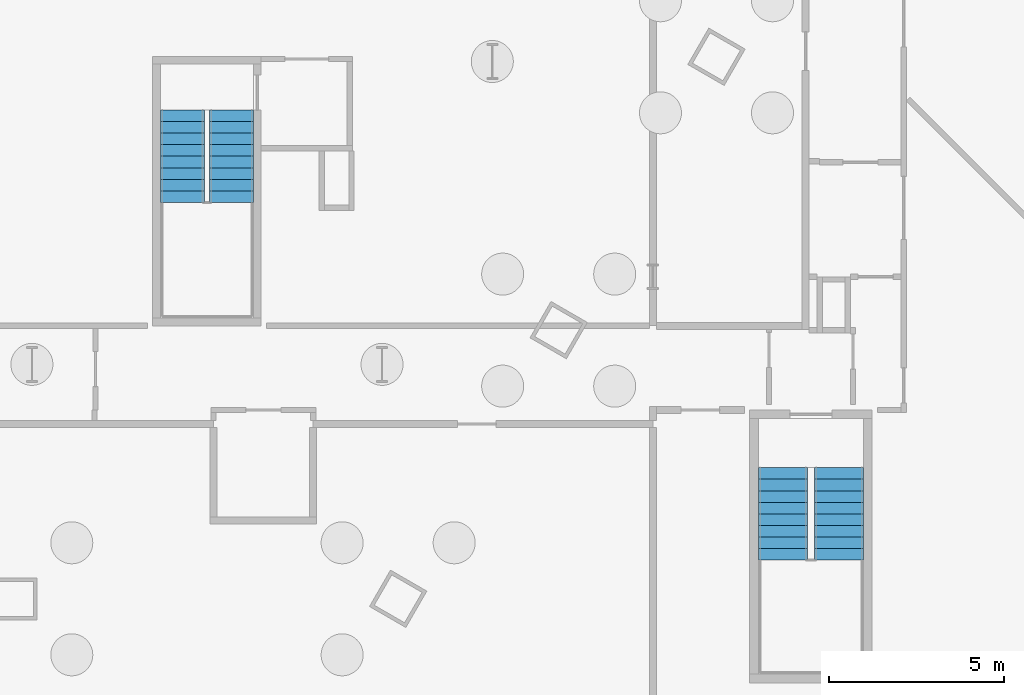
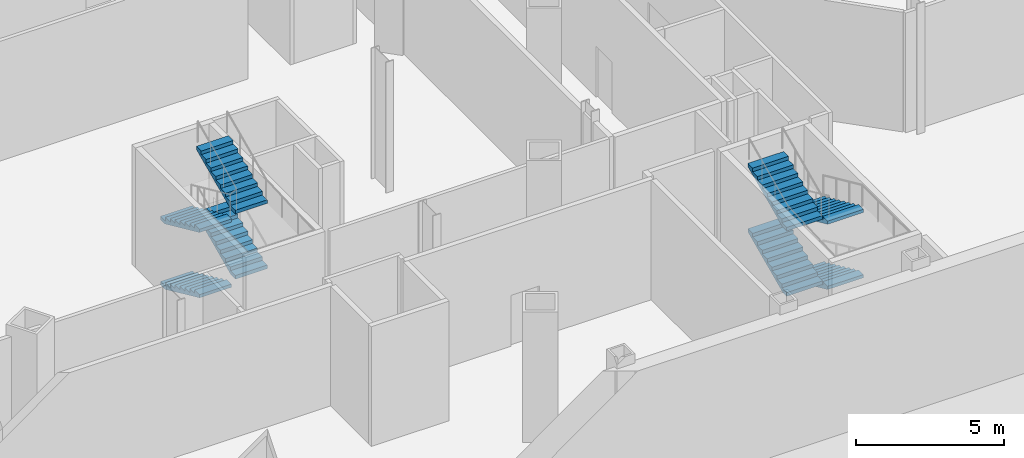
# One storey, part 14 of 19: 8 stair flights, 2 elements without a shape of their own.
"""IFC4 building model written with IfcOpenShell, lengths in metres."""

from ifc_helpers import new_model, si_unit, direction, frame, origin, place, context, subcontext, project, spatial, polygons, material, type_object, element, aggregate, save


model = new_model("IFC4")

# Units and contexts
model_context = context("Model", 3, precision=1e-05, world=origin(), true_north=direction((0.0, 1.0)))
body_context = subcontext(model_context, "Body", "Model", "MODEL_VIEW")
ifc_project = project(units=[si_unit("LENGTHUNIT", "METRE"), si_unit("AREAUNIT", "SQUARE_METRE"), si_unit("VOLUMEUNIT", "CUBIC_METRE"), si_unit("PLANEANGLEUNIT", "RADIAN"), si_unit("MASSUNIT", "GRAM", prefix="KILO")], contexts=[model_context])

# Site, building, storey
site_placement = place(None, origin())
site = spatial("IfcSite", under=ifc_project, at=site_placement, CompositionType="ELEMENT")
building_placement = place(site_placement, origin())
building = spatial("IfcBuilding", under=site, at=building_placement, Name="Njiva Tower", CompositionType="ELEMENT")
storey_placement = place(building_placement, frame((0.0, 0.0, -16.8)))
storey = spatial("IfcBuildingStorey", under=building, at=storey_placement, Name="B3", CompositionType="ELEMENT", Elevation=-16.8)

# Stair, stair flights
ifc_material = material(Name="Concrete C40/50", Category="concrete")
stair_type_1 = type_object("IfcStairType", Name="ST1 Exit stair 1250", PredefinedType="HALF_TURN_STAIR", material=ifc_material)
stair_1_placement = place(storey_placement, origin())
stair_1 = element("IfcStair", 1, at=stair_1_placement, inside=storey, type_object=stair_type_1, Name="Stair C basement", PredefinedType="DOUBLE_RETURN_STAIR")
stair_flight_type_1 = type_object("IfcStairFlightType", Name="FL1 Stair flight 1250", PredefinedType="STRAIGHT", material=ifc_material)
stair_flight_1_placement = place(storey_placement, frame((-0.7, -15.135, 0.0), z_axis=(0.0, 0.0, 1.0), x_axis=(0.0, -1.0, 0.0)))
stair_flight_1 = element("IfcStairFlight", 2, at=stair_flight_1_placement, type_object=stair_flight_type_1, Name="ST-CB flight 1", NumberOfRisers=9, NumberOfTreads=8, PredefinedType="STRAIGHT", RiserHeight=0.15, TreadLength=0.33, context=body_context, shape_type="Tessellation", body=[
    polygons([(0.0, 0.625, 0.0), (0.0, 0.3125, 0.0), (0.0, 0.0, 0.0), (0.0, -0.3125, 0.0), (0.0, -0.625, 0.0), (0.0, 0.625, 0.15), (0.0, 0.3125, 0.15), (0.0, 0.0, 0.15), (0.0, -0.3125, 0.15), (0.0, -0.625, 0.15), (0.33, 0.625, 0.15), (0.33, 0.3125, 0.15), (0.33, 0.0, 0.15), (0.33, -0.3125, 0.15), (0.33, -0.625, 0.15), (0.33, 0.625, 0.3), (0.33, 0.3125, 0.3), (0.33, 0.0, 0.3), (0.33, -0.3125, 0.3), (0.33, -0.625, 0.3), (0.66, 0.625, 0.3), (0.66, 0.3125, 0.3), (0.66, 0.0, 0.3), (0.66, -0.3125, 0.3), (0.66, -0.625, 0.3), (0.66, 0.625, 0.45), (0.66, 0.3125, 0.45), (0.66, 0.0, 0.45), (0.66, -0.3125, 0.45), (0.66, -0.625, 0.45), (0.99, 0.625, 0.45), (0.99, 0.3125, 0.45), (0.99, 0.0, 0.45), (0.99, -0.3125, 0.45), (0.99, -0.625, 0.45), (0.99, 0.625, 0.6), (0.99, 0.3125, 0.6), (0.99, 0.0, 0.6), (0.99, -0.3125, 0.6), (0.99, -0.625, 0.6), (1.32, 0.625, 0.6), (1.32, 0.3125, 0.6), (1.32, 0.0, 0.6), (1.32, -0.3125, 0.6), (1.32, -0.625, 0.6), (1.32, 0.625, 0.75), (1.32, 0.3125, 0.75), (1.32, 0.0, 0.75), (1.32, -0.3125, 0.75), (1.32, -0.625, 0.75), (1.65, 0.625, 0.75), (1.65, 0.3125, 0.75), (1.65, 0.0, 0.75), (1.65, -0.3125, 0.75), (1.65, -0.625, 0.75), (1.65, 0.625, 0.9), (1.65, 0.3125, 0.9), (1.65, 0.0, 0.9), (1.65, -0.3125, 0.9), (1.65, -0.625, 0.9), (1.98, 0.625, 0.9), (1.98, 0.3125, 0.9), (1.98, 0.0, 0.9), (1.98, -0.3125, 0.9), (1.98, -0.625, 0.9), (1.98, 0.625, 1.05), (1.98, 0.3125, 1.05), (1.98, 0.0, 1.05), (1.98, -0.3125, 1.05), (1.98, -0.625, 1.05), (2.31, 0.625, 1.05), (2.31, 0.3125, 1.05), (2.31, 0.0, 1.05), (2.31, -0.3125, 1.05), (2.31, -0.625, 1.05), (2.31, 0.625, 1.2), (2.31, 0.3125, 1.2), (2.31, 0.0, 1.2), (2.31, -0.3125, 1.2), (2.31, -0.625, 1.2), (2.64, 0.625, 1.2), (2.64, 0.3125, 1.2), (2.64, 0.0, 1.2), (2.64, -0.3125, 1.2), (2.64, -0.625, 1.2), (2.64, 0.625, 1.0682), (2.64, 0.3125, 1.0682), (2.64, 0.0, 1.0682), (2.64, -0.3125, 1.0682), (2.64, -0.625, 1.0682), (0.29, 0.625, 0.0), (0.29, 0.3125, 0.0), (0.29, 0.0, 0.0), (0.29, -0.3125, 0.0), (0.29, -0.625, 0.0)], [[[1, 6, 11, 16, 21, 26, 31, 36, 41, 46, 51, 56, 61, 66, 71, 76, 81, 86, 91]], [[95, 90, 85, 80, 75, 70, 65, 60, 55, 50, 45, 40, 35, 30, 25, 20, 15, 10, 5]], [[6, 1, 2, 7]], [[7, 2, 3, 8]], [[8, 3, 4, 9]], [[9, 4, 5, 10]], [[11, 6, 7, 12]], [[12, 7, 8, 13]], [[13, 8, 9, 14]], [[14, 9, 10, 15]], [[16, 11, 12, 17]], [[17, 12, 13, 18]], [[18, 13, 14, 19]], [[19, 14, 15, 20]], [[21, 16, 17, 22]], [[22, 17, 18, 23]], [[23, 18, 19, 24]], [[24, 19, 20, 25]], [[26, 21, 22, 27]], [[27, 22, 23, 28]], [[28, 23, 24, 29]], [[29, 24, 25, 30]], [[31, 26, 27, 32]], [[32, 27, 28, 33]], [[33, 28, 29, 34]], [[34, 29, 30, 35]], [[36, 31, 32, 37]], [[37, 32, 33, 38]], [[38, 33, 34, 39]], [[39, 34, 35, 40]], [[41, 36, 37, 42]], [[42, 37, 38, 43]], [[43, 38, 39, 44]], [[44, 39, 40, 45]], [[46, 41, 42, 47]], [[47, 42, 43, 48]], [[48, 43, 44, 49]], [[49, 44, 45, 50]], [[51, 46, 47, 52]], [[52, 47, 48, 53]], [[53, 48, 49, 54]], [[54, 49, 50, 55]], [[56, 51, 52, 57]], [[57, 52, 53, 58]], [[58, 53, 54, 59]], [[59, 54, 55, 60]], [[61, 56, 57, 62]], [[62, 57, 58, 63]], [[63, 58, 59, 64]], [[64, 59, 60, 65]], [[66, 61, 62, 67]], [[67, 62, 63, 68]], [[68, 63, 64, 69]], [[69, 64, 65, 70]], [[71, 66, 67, 72]], [[72, 67, 68, 73]], [[73, 68, 69, 74]], [[74, 69, 70, 75]], [[76, 71, 72, 77]], [[77, 72, 73, 78]], [[78, 73, 74, 79]], [[79, 74, 75, 80]], [[81, 76, 77, 82]], [[82, 77, 78, 83]], [[83, 78, 79, 84]], [[84, 79, 80, 85]], [[86, 81, 82, 87]], [[87, 82, 83, 88]], [[88, 83, 84, 89]], [[89, 84, 85, 90]], [[91, 86, 87, 92]], [[92, 87, 88, 93]], [[93, 88, 89, 94]], [[94, 89, 90, 95]], [[1, 91, 92, 2]], [[2, 92, 93, 3]], [[3, 93, 94, 4]], [[4, 94, 95, 5]]], closed=True),
])
stair_flight_2_placement = place(storey_placement, frame((0.7, -17.775, 1.35), z_axis=(0.0, 0.0, 1.0), x_axis=(0.0, 1.0, 0.0)))
stair_flight_2 = element("IfcStairFlight", 3, at=stair_flight_2_placement, type_object=stair_flight_type_1, Name="ST-CB flight 2", NumberOfRisers=9, NumberOfTreads=8, PredefinedType="STRAIGHT", RiserHeight=0.15, TreadLength=0.33, context=body_context, shape_type="Tessellation", body=[
    polygons([(0.0, 0.625, 0.0), (0.0, 0.3125, 0.0), (0.0, 0.0, 0.0), (0.0, -0.3125, 0.0), (0.0, -0.625, 0.0), (0.0, 0.625, 0.15), (0.0, 0.3125, 0.15), (0.0, 0.0, 0.15), (0.0, -0.3125, 0.15), (0.0, -0.625, 0.15), (0.33, 0.625, 0.15), (0.33, 0.3125, 0.15), (0.33, 0.0, 0.15), (0.33, -0.3125, 0.15), (0.33, -0.625, 0.15), (0.33, 0.625, 0.3), (0.33, 0.3125, 0.3), (0.33, 0.0, 0.3), (0.33, -0.3125, 0.3), (0.33, -0.625, 0.3), (0.66, 0.625, 0.3), (0.66, 0.3125, 0.3), (0.66, 0.0, 0.3), (0.66, -0.3125, 0.3), (0.66, -0.625, 0.3), (0.66, 0.625, 0.45), (0.66, 0.3125, 0.45), (0.66, 0.0, 0.45), (0.66, -0.3125, 0.45), (0.66, -0.625, 0.45), (0.99, 0.625, 0.45), (0.99, 0.3125, 0.45), (0.99, 0.0, 0.45), (0.99, -0.3125, 0.45), (0.99, -0.625, 0.45), (0.99, 0.625, 0.6), (0.99, 0.3125, 0.6), (0.99, 0.0, 0.6), (0.99, -0.3125, 0.6), (0.99, -0.625, 0.6), (1.32, 0.625, 0.6), (1.32, 0.3125, 0.6), (1.32, 0.0, 0.6), (1.32, -0.3125, 0.6), (1.32, -0.625, 0.6), (1.32, 0.625, 0.75), (1.32, 0.3125, 0.75), (1.32, 0.0, 0.75), (1.32, -0.3125, 0.75), (1.32, -0.625, 0.75), (1.65, 0.625, 0.75), (1.65, 0.3125, 0.75), (1.65, 0.0, 0.75), (1.65, -0.3125, 0.75), (1.65, -0.625, 0.75), (1.65, 0.625, 0.9), (1.65, 0.3125, 0.9), (1.65, 0.0, 0.9), (1.65, -0.3125, 0.9), (1.65, -0.625, 0.9), (1.98, 0.625, 0.9), (1.98, 0.3125, 0.9), (1.98, 0.0, 0.9), (1.98, -0.3125, 0.9), (1.98, -0.625, 0.9), (1.98, 0.625, 1.05), (1.98, 0.3125, 1.05), (1.98, 0.0, 1.05), (1.98, -0.3125, 1.05), (1.98, -0.625, 1.05), (2.31, 0.625, 1.05), (2.31, 0.3125, 1.05), (2.31, 0.0, 1.05), (2.31, -0.3125, 1.05), (2.31, -0.625, 1.05), (2.31, 0.625, 1.2), (2.31, 0.3125, 1.2), (2.31, 0.0, 1.2), (2.31, -0.3125, 1.2), (2.31, -0.625, 1.2), (2.64, 0.625, 1.2), (2.64, 0.3125, 1.2), (2.64, 0.0, 1.2), (2.64, -0.3125, 1.2), (2.64, -0.625, 1.2), (2.64, 0.625, 1.0682), (2.64, 0.3125, 1.0682), (2.64, 0.0, 1.0682), (2.64, -0.3125, 1.0682), (2.64, -0.625, 1.0682), (0.29, 0.625, 0.0), (0.29, 0.3125, 0.0), (0.29, 0.0, 0.0), (0.29, -0.3125, 0.0), (0.29, -0.625, 0.0)], [[[1, 6, 11, 16, 21, 26, 31, 36, 41, 46, 51, 56, 61, 66, 71, 76, 81, 86, 91]], [[95, 90, 85, 80, 75, 70, 65, 60, 55, 50, 45, 40, 35, 30, 25, 20, 15, 10, 5]], [[6, 1, 2, 7]], [[7, 2, 3, 8]], [[8, 3, 4, 9]], [[9, 4, 5, 10]], [[11, 6, 7, 12]], [[12, 7, 8, 13]], [[13, 8, 9, 14]], [[14, 9, 10, 15]], [[16, 11, 12, 17]], [[17, 12, 13, 18]], [[18, 13, 14, 19]], [[19, 14, 15, 20]], [[21, 16, 17, 22]], [[22, 17, 18, 23]], [[23, 18, 19, 24]], [[24, 19, 20, 25]], [[26, 21, 22, 27]], [[27, 22, 23, 28]], [[28, 23, 24, 29]], [[29, 24, 25, 30]], [[31, 26, 27, 32]], [[32, 27, 28, 33]], [[33, 28, 29, 34]], [[34, 29, 30, 35]], [[36, 31, 32, 37]], [[37, 32, 33, 38]], [[38, 33, 34, 39]], [[39, 34, 35, 40]], [[41, 36, 37, 42]], [[42, 37, 38, 43]], [[43, 38, 39, 44]], [[44, 39, 40, 45]], [[46, 41, 42, 47]], [[47, 42, 43, 48]], [[48, 43, 44, 49]], [[49, 44, 45, 50]], [[51, 46, 47, 52]], [[52, 47, 48, 53]], [[53, 48, 49, 54]], [[54, 49, 50, 55]], [[56, 51, 52, 57]], [[57, 52, 53, 58]], [[58, 53, 54, 59]], [[59, 54, 55, 60]], [[61, 56, 57, 62]], [[62, 57, 58, 63]], [[63, 58, 59, 64]], [[64, 59, 60, 65]], [[66, 61, 62, 67]], [[67, 62, 63, 68]], [[68, 63, 64, 69]], [[69, 64, 65, 70]], [[71, 66, 67, 72]], [[72, 67, 68, 73]], [[73, 68, 69, 74]], [[74, 69, 70, 75]], [[76, 71, 72, 77]], [[77, 72, 73, 78]], [[78, 73, 74, 79]], [[79, 74, 75, 80]], [[81, 76, 77, 82]], [[82, 77, 78, 83]], [[83, 78, 79, 84]], [[84, 79, 80, 85]], [[86, 81, 82, 87]], [[87, 82, 83, 88]], [[88, 83, 84, 89]], [[89, 84, 85, 90]], [[91, 86, 87, 92]], [[92, 87, 88, 93]], [[93, 88, 89, 94]], [[94, 89, 90, 95]], [[1, 91, 92, 2]], [[2, 92, 93, 3]], [[3, 93, 94, 4]], [[4, 94, 95, 5]]], closed=True),
])
stair_flight_3_placement = place(storey_placement, frame((-0.7, -15.135, 2.7), z_axis=(0.0, 0.0, 1.0), x_axis=(0.0, -1.0, 0.0)))
stair_flight_3 = element("IfcStairFlight", 4, at=stair_flight_3_placement, type_object=stair_flight_type_1, Name="ST-CB flight 3", NumberOfRisers=9, NumberOfTreads=8, PredefinedType="STRAIGHT", RiserHeight=0.15, TreadLength=0.33, context=body_context, shape_type="Tessellation", body=[
    polygons([(0.0, 0.625, 0.0), (0.0, 0.3125, 0.0), (0.0, 0.0, 0.0), (0.0, -0.3125, 0.0), (0.0, -0.625, 0.0), (0.0, 0.625, 0.15), (0.0, 0.3125, 0.15), (0.0, 0.0, 0.15), (0.0, -0.3125, 0.15), (0.0, -0.625, 0.15), (0.33, 0.625, 0.15), (0.33, 0.3125, 0.15), (0.33, 0.0, 0.15), (0.33, -0.3125, 0.15), (0.33, -0.625, 0.15), (0.33, 0.625, 0.3), (0.33, 0.3125, 0.3), (0.33, 0.0, 0.3), (0.33, -0.3125, 0.3), (0.33, -0.625, 0.3), (0.66, 0.625, 0.3), (0.66, 0.3125, 0.3), (0.66, 0.0, 0.3), (0.66, -0.3125, 0.3), (0.66, -0.625, 0.3), (0.66, 0.625, 0.45), (0.66, 0.3125, 0.45), (0.66, 0.0, 0.45), (0.66, -0.3125, 0.45), (0.66, -0.625, 0.45), (0.99, 0.625, 0.45), (0.99, 0.3125, 0.45), (0.99, 0.0, 0.45), (0.99, -0.3125, 0.45), (0.99, -0.625, 0.45), (0.99, 0.625, 0.6), (0.99, 0.3125, 0.6), (0.99, 0.0, 0.6), (0.99, -0.3125, 0.6), (0.99, -0.625, 0.6), (1.32, 0.625, 0.6), (1.32, 0.3125, 0.6), (1.32, 0.0, 0.6), (1.32, -0.3125, 0.6), (1.32, -0.625, 0.6), (1.32, 0.625, 0.75), (1.32, 0.3125, 0.75), (1.32, 0.0, 0.75), (1.32, -0.3125, 0.75), (1.32, -0.625, 0.75), (1.65, 0.625, 0.75), (1.65, 0.3125, 0.75), (1.65, 0.0, 0.75), (1.65, -0.3125, 0.75), (1.65, -0.625, 0.75), (1.65, 0.625, 0.9), (1.65, 0.3125, 0.9), (1.65, 0.0, 0.9), (1.65, -0.3125, 0.9), (1.65, -0.625, 0.9), (1.98, 0.625, 0.9), (1.98, 0.3125, 0.9), (1.98, 0.0, 0.9), (1.98, -0.3125, 0.9), (1.98, -0.625, 0.9), (1.98, 0.625, 1.05), (1.98, 0.3125, 1.05), (1.98, 0.0, 1.05), (1.98, -0.3125, 1.05), (1.98, -0.625, 1.05), (2.31, 0.625, 1.05), (2.31, 0.3125, 1.05), (2.31, 0.0, 1.05), (2.31, -0.3125, 1.05), (2.31, -0.625, 1.05), (2.31, 0.625, 1.2), (2.31, 0.3125, 1.2), (2.31, 0.0, 1.2), (2.31, -0.3125, 1.2), (2.31, -0.625, 1.2), (2.64, 0.625, 1.2), (2.64, 0.3125, 1.2), (2.64, 0.0, 1.2), (2.64, -0.3125, 1.2), (2.64, -0.625, 1.2), (2.64, 0.625, 1.0682), (2.64, 0.3125, 1.0682), (2.64, 0.0, 1.0682), (2.64, -0.3125, 1.0682), (2.64, -0.625, 1.0682), (0.29, 0.625, 0.0), (0.29, 0.3125, 0.0), (0.29, 0.0, 0.0), (0.29, -0.3125, 0.0), (0.29, -0.625, 0.0)], [[[1, 6, 11, 16, 21, 26, 31, 36, 41, 46, 51, 56, 61, 66, 71, 76, 81, 86, 91]], [[95, 90, 85, 80, 75, 70, 65, 60, 55, 50, 45, 40, 35, 30, 25, 20, 15, 10, 5]], [[6, 1, 2, 7]], [[7, 2, 3, 8]], [[8, 3, 4, 9]], [[9, 4, 5, 10]], [[11, 6, 7, 12]], [[12, 7, 8, 13]], [[13, 8, 9, 14]], [[14, 9, 10, 15]], [[16, 11, 12, 17]], [[17, 12, 13, 18]], [[18, 13, 14, 19]], [[19, 14, 15, 20]], [[21, 16, 17, 22]], [[22, 17, 18, 23]], [[23, 18, 19, 24]], [[24, 19, 20, 25]], [[26, 21, 22, 27]], [[27, 22, 23, 28]], [[28, 23, 24, 29]], [[29, 24, 25, 30]], [[31, 26, 27, 32]], [[32, 27, 28, 33]], [[33, 28, 29, 34]], [[34, 29, 30, 35]], [[36, 31, 32, 37]], [[37, 32, 33, 38]], [[38, 33, 34, 39]], [[39, 34, 35, 40]], [[41, 36, 37, 42]], [[42, 37, 38, 43]], [[43, 38, 39, 44]], [[44, 39, 40, 45]], [[46, 41, 42, 47]], [[47, 42, 43, 48]], [[48, 43, 44, 49]], [[49, 44, 45, 50]], [[51, 46, 47, 52]], [[52, 47, 48, 53]], [[53, 48, 49, 54]], [[54, 49, 50, 55]], [[56, 51, 52, 57]], [[57, 52, 53, 58]], [[58, 53, 54, 59]], [[59, 54, 55, 60]], [[61, 56, 57, 62]], [[62, 57, 58, 63]], [[63, 58, 59, 64]], [[64, 59, 60, 65]], [[66, 61, 62, 67]], [[67, 62, 63, 68]], [[68, 63, 64, 69]], [[69, 64, 65, 70]], [[71, 66, 67, 72]], [[72, 67, 68, 73]], [[73, 68, 69, 74]], [[74, 69, 70, 75]], [[76, 71, 72, 77]], [[77, 72, 73, 78]], [[78, 73, 74, 79]], [[79, 74, 75, 80]], [[81, 76, 77, 82]], [[82, 77, 78, 83]], [[83, 78, 79, 84]], [[84, 79, 80, 85]], [[86, 81, 82, 87]], [[87, 82, 83, 88]], [[88, 83, 84, 89]], [[89, 84, 85, 90]], [[91, 86, 87, 92]], [[92, 87, 88, 93]], [[93, 88, 89, 94]], [[94, 89, 90, 95]], [[1, 91, 92, 2]], [[2, 92, 93, 3]], [[3, 93, 94, 4]], [[4, 94, 95, 5]]], closed=True),
])
stair_flight_4_placement = place(storey_placement, frame((0.7, -17.775, 4.05), z_axis=(0.0, 0.0, 1.0), x_axis=(0.0, 1.0, 0.0)))
stair_flight_4 = element("IfcStairFlight", 5, at=stair_flight_4_placement, type_object=stair_flight_type_1, Name="ST-CB flight 4", NumberOfRisers=9, NumberOfTreads=8, PredefinedType="STRAIGHT", RiserHeight=0.15, TreadLength=0.33, context=body_context, shape_type="Tessellation", body=[
    polygons([(0.0, 0.625, 0.0), (0.0, 0.3125, 0.0), (0.0, 0.0, 0.0), (0.0, -0.3125, 0.0), (0.0, -0.625, 0.0), (0.0, 0.625, 0.15), (0.0, 0.3125, 0.15), (0.0, 0.0, 0.15), (0.0, -0.3125, 0.15), (0.0, -0.625, 0.15), (0.33, 0.625, 0.15), (0.33, 0.3125, 0.15), (0.33, 0.0, 0.15), (0.33, -0.3125, 0.15), (0.33, -0.625, 0.15), (0.33, 0.625, 0.3), (0.33, 0.3125, 0.3), (0.33, 0.0, 0.3), (0.33, -0.3125, 0.3), (0.33, -0.625, 0.3), (0.66, 0.625, 0.3), (0.66, 0.3125, 0.3), (0.66, 0.0, 0.3), (0.66, -0.3125, 0.3), (0.66, -0.625, 0.3), (0.66, 0.625, 0.45), (0.66, 0.3125, 0.45), (0.66, 0.0, 0.45), (0.66, -0.3125, 0.45), (0.66, -0.625, 0.45), (0.99, 0.625, 0.45), (0.99, 0.3125, 0.45), (0.99, 0.0, 0.45), (0.99, -0.3125, 0.45), (0.99, -0.625, 0.45), (0.99, 0.625, 0.6), (0.99, 0.3125, 0.6), (0.99, 0.0, 0.6), (0.99, -0.3125, 0.6), (0.99, -0.625, 0.6), (1.32, 0.625, 0.6), (1.32, 0.3125, 0.6), (1.32, 0.0, 0.6), (1.32, -0.3125, 0.6), (1.32, -0.625, 0.6), (1.32, 0.625, 0.75), (1.32, 0.3125, 0.75), (1.32, 0.0, 0.75), (1.32, -0.3125, 0.75), (1.32, -0.625, 0.75), (1.65, 0.625, 0.75), (1.65, 0.3125, 0.75), (1.65, 0.0, 0.75), (1.65, -0.3125, 0.75), (1.65, -0.625, 0.75), (1.65, 0.625, 0.9), (1.65, 0.3125, 0.9), (1.65, 0.0, 0.9), (1.65, -0.3125, 0.9), (1.65, -0.625, 0.9), (1.98, 0.625, 0.9), (1.98, 0.3125, 0.9), (1.98, 0.0, 0.9), (1.98, -0.3125, 0.9), (1.98, -0.625, 0.9), (1.98, 0.625, 1.05), (1.98, 0.3125, 1.05), (1.98, 0.0, 1.05), (1.98, -0.3125, 1.05), (1.98, -0.625, 1.05), (2.31, 0.625, 1.05), (2.31, 0.3125, 1.05), (2.31, 0.0, 1.05), (2.31, -0.3125, 1.05), (2.31, -0.625, 1.05), (2.31, 0.625, 1.2), (2.31, 0.3125, 1.2), (2.31, 0.0, 1.2), (2.31, -0.3125, 1.2), (2.31, -0.625, 1.2), (2.64, 0.625, 1.2), (2.64, 0.3125, 1.2), (2.64, 0.0, 1.2), (2.64, -0.3125, 1.2), (2.64, -0.625, 1.2), (2.64, 0.625, 1.0682), (2.64, 0.3125, 1.0682), (2.64, 0.0, 1.0682), (2.64, -0.3125, 1.0682), (2.64, -0.625, 1.0682), (0.29, 0.625, 0.0), (0.29, 0.3125, 0.0), (0.29, 0.0, 0.0), (0.29, -0.3125, 0.0), (0.29, -0.625, 0.0)], [[[1, 6, 11, 16, 21, 26, 31, 36, 41, 46, 51, 56, 61, 66, 71, 76, 81, 86, 91]], [[95, 90, 85, 80, 75, 70, 65, 60, 55, 50, 45, 40, 35, 30, 25, 20, 15, 10, 5]], [[6, 1, 2, 7]], [[7, 2, 3, 8]], [[8, 3, 4, 9]], [[9, 4, 5, 10]], [[11, 6, 7, 12]], [[12, 7, 8, 13]], [[13, 8, 9, 14]], [[14, 9, 10, 15]], [[16, 11, 12, 17]], [[17, 12, 13, 18]], [[18, 13, 14, 19]], [[19, 14, 15, 20]], [[21, 16, 17, 22]], [[22, 17, 18, 23]], [[23, 18, 19, 24]], [[24, 19, 20, 25]], [[26, 21, 22, 27]], [[27, 22, 23, 28]], [[28, 23, 24, 29]], [[29, 24, 25, 30]], [[31, 26, 27, 32]], [[32, 27, 28, 33]], [[33, 28, 29, 34]], [[34, 29, 30, 35]], [[36, 31, 32, 37]], [[37, 32, 33, 38]], [[38, 33, 34, 39]], [[39, 34, 35, 40]], [[41, 36, 37, 42]], [[42, 37, 38, 43]], [[43, 38, 39, 44]], [[44, 39, 40, 45]], [[46, 41, 42, 47]], [[47, 42, 43, 48]], [[48, 43, 44, 49]], [[49, 44, 45, 50]], [[51, 46, 47, 52]], [[52, 47, 48, 53]], [[53, 48, 49, 54]], [[54, 49, 50, 55]], [[56, 51, 52, 57]], [[57, 52, 53, 58]], [[58, 53, 54, 59]], [[59, 54, 55, 60]], [[61, 56, 57, 62]], [[62, 57, 58, 63]], [[63, 58, 59, 64]], [[64, 59, 60, 65]], [[66, 61, 62, 67]], [[67, 62, 63, 68]], [[68, 63, 64, 69]], [[69, 64, 65, 70]], [[71, 66, 67, 72]], [[72, 67, 68, 73]], [[73, 68, 69, 74]], [[74, 69, 70, 75]], [[76, 71, 72, 77]], [[77, 72, 73, 78]], [[78, 73, 74, 79]], [[79, 74, 75, 80]], [[81, 76, 77, 82]], [[82, 77, 78, 83]], [[83, 78, 79, 84]], [[84, 79, 80, 85]], [[86, 81, 82, 87]], [[87, 82, 83, 88]], [[88, 83, 84, 89]], [[89, 84, 85, 90]], [[91, 86, 87, 92]], [[92, 87, 88, 93]], [[93, 88, 89, 94]], [[94, 89, 90, 95]], [[1, 91, 92, 2]], [[2, 92, 93, 3]], [[3, 93, 94, 4]], [[4, 94, 95, 5]]], closed=True),
])
aggregate(stair_1, [stair_flight_1, stair_flight_2, stair_flight_3, stair_flight_4])

stair_type_2 = type_object("IfcStairType", Name="ST2 Exit stair 1400", PredefinedType="HALF_TURN_STAIR", material=ifc_material)
stair_2_placement = place(storey_placement, origin())
stair_2 = element("IfcStair", 6, at=stair_2_placement, inside=storey, type_object=stair_type_2, Name="Stair E basement", PredefinedType="DOUBLE_RETURN_STAIR")
stair_flight_type_2 = type_object("IfcStairFlightType", Name="FL2 Stair flight 1400", PredefinedType="STRAIGHT", material=ifc_material)
stair_flight_5_placement = place(storey_placement, frame((18.05, -25.35, 0.0), z_axis=(0.0, 0.0, 1.0), x_axis=(0.0, -1.0, 0.0)))
stair_flight_5 = element("IfcStairFlight", 7, at=stair_flight_5_placement, type_object=stair_flight_type_2, Name="ST-EB flight 1", NumberOfRisers=9, NumberOfTreads=8, PredefinedType="STRAIGHT", RiserHeight=0.15, TreadLength=0.33, context=body_context, shape_type="Tessellation", body=[
    polygons([(0.0, 0.7, 0.0), (0.0, 0.35, 0.0), (0.0, 0.0, 0.0), (0.0, -0.35, 0.0), (0.0, -0.7, 0.0), (0.0, 0.7, 0.15), (0.0, 0.35, 0.15), (0.0, 0.0, 0.15), (0.0, -0.35, 0.15), (0.0, -0.7, 0.15), (0.33, 0.7, 0.15), (0.33, 0.35, 0.15), (0.33, 0.0, 0.15), (0.33, -0.35, 0.15), (0.33, -0.7, 0.15), (0.33, 0.7, 0.3), (0.33, 0.35, 0.3), (0.33, 0.0, 0.3), (0.33, -0.35, 0.3), (0.33, -0.7, 0.3), (0.66, 0.7, 0.3), (0.66, 0.35, 0.3), (0.66, 0.0, 0.3), (0.66, -0.35, 0.3), (0.66, -0.7, 0.3), (0.66, 0.7, 0.45), (0.66, 0.35, 0.45), (0.66, 0.0, 0.45), (0.66, -0.35, 0.45), (0.66, -0.7, 0.45), (0.99, 0.7, 0.45), (0.99, 0.35, 0.45), (0.99, 0.0, 0.45), (0.99, -0.35, 0.45), (0.99, -0.7, 0.45), (0.99, 0.7, 0.6), (0.99, 0.35, 0.6), (0.99, 0.0, 0.6), (0.99, -0.35, 0.6), (0.99, -0.7, 0.6), (1.32, 0.7, 0.6), (1.32, 0.35, 0.6), (1.32, 0.0, 0.6), (1.32, -0.35, 0.6), (1.32, -0.7, 0.6), (1.32, 0.7, 0.75), (1.32, 0.35, 0.75), (1.32, 0.0, 0.75), (1.32, -0.35, 0.75), (1.32, -0.7, 0.75), (1.65, 0.7, 0.75), (1.65, 0.35, 0.75), (1.65, 0.0, 0.75), (1.65, -0.35, 0.75), (1.65, -0.7, 0.75), (1.65, 0.7, 0.9), (1.65, 0.35, 0.9), (1.65, 0.0, 0.9), (1.65, -0.35, 0.9), (1.65, -0.7, 0.9), (1.98, 0.7, 0.9), (1.98, 0.35, 0.9), (1.98, 0.0, 0.9), (1.98, -0.35, 0.9), (1.98, -0.7, 0.9), (1.98, 0.7, 1.05), (1.98, 0.35, 1.05), (1.98, 0.0, 1.05), (1.98, -0.35, 1.05), (1.98, -0.7, 1.05), (2.31, 0.7, 1.05), (2.31, 0.35, 1.05), (2.31, 0.0, 1.05), (2.31, -0.35, 1.05), (2.31, -0.7, 1.05), (2.31, 0.7, 1.2), (2.31, 0.35, 1.2), (2.31, 0.0, 1.2), (2.31, -0.35, 1.2), (2.31, -0.7, 1.2), (2.64, 0.7, 1.2), (2.64, 0.35, 1.2), (2.64, 0.0, 1.2), (2.64, -0.35, 1.2), (2.64, -0.7, 1.2), (2.64, 0.7, 1.0682), (2.64, 0.35, 1.0682), (2.64, 0.0, 1.0682), (2.64, -0.35, 1.0682), (2.64, -0.7, 1.0682), (0.29, 0.7, 0.0), (0.29, 0.35, 0.0), (0.29, 0.0, 0.0), (0.29, -0.35, 0.0), (0.29, -0.7, 0.0)], [[[1, 6, 11, 16, 21, 26, 31, 36, 41, 46, 51, 56, 61, 66, 71, 76, 81, 86, 91]], [[95, 90, 85, 80, 75, 70, 65, 60, 55, 50, 45, 40, 35, 30, 25, 20, 15, 10, 5]], [[6, 1, 2, 7]], [[7, 2, 3, 8]], [[8, 3, 4, 9]], [[9, 4, 5, 10]], [[11, 6, 7, 12]], [[12, 7, 8, 13]], [[13, 8, 9, 14]], [[14, 9, 10, 15]], [[16, 11, 12, 17]], [[17, 12, 13, 18]], [[18, 13, 14, 19]], [[19, 14, 15, 20]], [[21, 16, 17, 22]], [[22, 17, 18, 23]], [[23, 18, 19, 24]], [[24, 19, 20, 25]], [[26, 21, 22, 27]], [[27, 22, 23, 28]], [[28, 23, 24, 29]], [[29, 24, 25, 30]], [[31, 26, 27, 32]], [[32, 27, 28, 33]], [[33, 28, 29, 34]], [[34, 29, 30, 35]], [[36, 31, 32, 37]], [[37, 32, 33, 38]], [[38, 33, 34, 39]], [[39, 34, 35, 40]], [[41, 36, 37, 42]], [[42, 37, 38, 43]], [[43, 38, 39, 44]], [[44, 39, 40, 45]], [[46, 41, 42, 47]], [[47, 42, 43, 48]], [[48, 43, 44, 49]], [[49, 44, 45, 50]], [[51, 46, 47, 52]], [[52, 47, 48, 53]], [[53, 48, 49, 54]], [[54, 49, 50, 55]], [[56, 51, 52, 57]], [[57, 52, 53, 58]], [[58, 53, 54, 59]], [[59, 54, 55, 60]], [[61, 56, 57, 62]], [[62, 57, 58, 63]], [[63, 58, 59, 64]], [[64, 59, 60, 65]], [[66, 61, 62, 67]], [[67, 62, 63, 68]], [[68, 63, 64, 69]], [[69, 64, 65, 70]], [[71, 66, 67, 72]], [[72, 67, 68, 73]], [[73, 68, 69, 74]], [[74, 69, 70, 75]], [[76, 71, 72, 77]], [[77, 72, 73, 78]], [[78, 73, 74, 79]], [[79, 74, 75, 80]], [[81, 76, 77, 82]], [[82, 77, 78, 83]], [[83, 78, 79, 84]], [[84, 79, 80, 85]], [[86, 81, 82, 87]], [[87, 82, 83, 88]], [[88, 83, 84, 89]], [[89, 84, 85, 90]], [[91, 86, 87, 92]], [[92, 87, 88, 93]], [[93, 88, 89, 94]], [[94, 89, 90, 95]], [[1, 91, 92, 2]], [[2, 92, 93, 3]], [[3, 93, 94, 4]], [[4, 94, 95, 5]]], closed=True),
])
stair_flight_6_placement = place(storey_placement, frame((16.45, -27.99, 1.35), z_axis=(0.0, 0.0, 1.0), x_axis=(0.0, 1.0, 0.0)))
stair_flight_6 = element("IfcStairFlight", 8, at=stair_flight_6_placement, type_object=stair_flight_type_2, Name="ST-EB flight 2", NumberOfRisers=9, NumberOfTreads=8, PredefinedType="STRAIGHT", RiserHeight=0.15, TreadLength=0.33, context=body_context, shape_type="Tessellation", body=[
    polygons([(0.0, 0.7, 0.0), (0.0, 0.35, 0.0), (0.0, 0.0, 0.0), (0.0, -0.35, 0.0), (0.0, -0.7, 0.0), (0.0, 0.7, 0.15), (0.0, 0.35, 0.15), (0.0, 0.0, 0.15), (0.0, -0.35, 0.15), (0.0, -0.7, 0.15), (0.33, 0.7, 0.15), (0.33, 0.35, 0.15), (0.33, 0.0, 0.15), (0.33, -0.35, 0.15), (0.33, -0.7, 0.15), (0.33, 0.7, 0.3), (0.33, 0.35, 0.3), (0.33, 0.0, 0.3), (0.33, -0.35, 0.3), (0.33, -0.7, 0.3), (0.66, 0.7, 0.3), (0.66, 0.35, 0.3), (0.66, 0.0, 0.3), (0.66, -0.35, 0.3), (0.66, -0.7, 0.3), (0.66, 0.7, 0.45), (0.66, 0.35, 0.45), (0.66, 0.0, 0.45), (0.66, -0.35, 0.45), (0.66, -0.7, 0.45), (0.99, 0.7, 0.45), (0.99, 0.35, 0.45), (0.99, 0.0, 0.45), (0.99, -0.35, 0.45), (0.99, -0.7, 0.45), (0.99, 0.7, 0.6), (0.99, 0.35, 0.6), (0.99, 0.0, 0.6), (0.99, -0.35, 0.6), (0.99, -0.7, 0.6), (1.32, 0.7, 0.6), (1.32, 0.35, 0.6), (1.32, 0.0, 0.6), (1.32, -0.35, 0.6), (1.32, -0.7, 0.6), (1.32, 0.7, 0.75), (1.32, 0.35, 0.75), (1.32, 0.0, 0.75), (1.32, -0.35, 0.75), (1.32, -0.7, 0.75), (1.65, 0.7, 0.75), (1.65, 0.35, 0.75), (1.65, 0.0, 0.75), (1.65, -0.35, 0.75), (1.65, -0.7, 0.75), (1.65, 0.7, 0.9), (1.65, 0.35, 0.9), (1.65, 0.0, 0.9), (1.65, -0.35, 0.9), (1.65, -0.7, 0.9), (1.98, 0.7, 0.9), (1.98, 0.35, 0.9), (1.98, 0.0, 0.9), (1.98, -0.35, 0.9), (1.98, -0.7, 0.9), (1.98, 0.7, 1.05), (1.98, 0.35, 1.05), (1.98, 0.0, 1.05), (1.98, -0.35, 1.05), (1.98, -0.7, 1.05), (2.31, 0.7, 1.05), (2.31, 0.35, 1.05), (2.31, 0.0, 1.05), (2.31, -0.35, 1.05), (2.31, -0.7, 1.05), (2.31, 0.7, 1.2), (2.31, 0.35, 1.2), (2.31, 0.0, 1.2), (2.31, -0.35, 1.2), (2.31, -0.7, 1.2), (2.64, 0.7, 1.2), (2.64, 0.35, 1.2), (2.64, 0.0, 1.2), (2.64, -0.35, 1.2), (2.64, -0.7, 1.2), (2.64, 0.7, 1.0682), (2.64, 0.35, 1.0682), (2.64, 0.0, 1.0682), (2.64, -0.35, 1.0682), (2.64, -0.7, 1.0682), (0.29, 0.7, 0.0), (0.29, 0.35, 0.0), (0.29, 0.0, 0.0), (0.29, -0.35, 0.0), (0.29, -0.7, 0.0)], [[[1, 6, 11, 16, 21, 26, 31, 36, 41, 46, 51, 56, 61, 66, 71, 76, 81, 86, 91]], [[95, 90, 85, 80, 75, 70, 65, 60, 55, 50, 45, 40, 35, 30, 25, 20, 15, 10, 5]], [[6, 1, 2, 7]], [[7, 2, 3, 8]], [[8, 3, 4, 9]], [[9, 4, 5, 10]], [[11, 6, 7, 12]], [[12, 7, 8, 13]], [[13, 8, 9, 14]], [[14, 9, 10, 15]], [[16, 11, 12, 17]], [[17, 12, 13, 18]], [[18, 13, 14, 19]], [[19, 14, 15, 20]], [[21, 16, 17, 22]], [[22, 17, 18, 23]], [[23, 18, 19, 24]], [[24, 19, 20, 25]], [[26, 21, 22, 27]], [[27, 22, 23, 28]], [[28, 23, 24, 29]], [[29, 24, 25, 30]], [[31, 26, 27, 32]], [[32, 27, 28, 33]], [[33, 28, 29, 34]], [[34, 29, 30, 35]], [[36, 31, 32, 37]], [[37, 32, 33, 38]], [[38, 33, 34, 39]], [[39, 34, 35, 40]], [[41, 36, 37, 42]], [[42, 37, 38, 43]], [[43, 38, 39, 44]], [[44, 39, 40, 45]], [[46, 41, 42, 47]], [[47, 42, 43, 48]], [[48, 43, 44, 49]], [[49, 44, 45, 50]], [[51, 46, 47, 52]], [[52, 47, 48, 53]], [[53, 48, 49, 54]], [[54, 49, 50, 55]], [[56, 51, 52, 57]], [[57, 52, 53, 58]], [[58, 53, 54, 59]], [[59, 54, 55, 60]], [[61, 56, 57, 62]], [[62, 57, 58, 63]], [[63, 58, 59, 64]], [[64, 59, 60, 65]], [[66, 61, 62, 67]], [[67, 62, 63, 68]], [[68, 63, 64, 69]], [[69, 64, 65, 70]], [[71, 66, 67, 72]], [[72, 67, 68, 73]], [[73, 68, 69, 74]], [[74, 69, 70, 75]], [[76, 71, 72, 77]], [[77, 72, 73, 78]], [[78, 73, 74, 79]], [[79, 74, 75, 80]], [[81, 76, 77, 82]], [[82, 77, 78, 83]], [[83, 78, 79, 84]], [[84, 79, 80, 85]], [[86, 81, 82, 87]], [[87, 82, 83, 88]], [[88, 83, 84, 89]], [[89, 84, 85, 90]], [[91, 86, 87, 92]], [[92, 87, 88, 93]], [[93, 88, 89, 94]], [[94, 89, 90, 95]], [[1, 91, 92, 2]], [[2, 92, 93, 3]], [[3, 93, 94, 4]], [[4, 94, 95, 5]]], closed=True),
])
stair_flight_7_placement = place(storey_placement, frame((18.05, -25.35, 2.7), z_axis=(0.0, 0.0, 1.0), x_axis=(0.0, -1.0, 0.0)))
stair_flight_7 = element("IfcStairFlight", 9, at=stair_flight_7_placement, type_object=stair_flight_type_2, Name="ST-EB flight 3", NumberOfRisers=9, NumberOfTreads=8, PredefinedType="STRAIGHT", RiserHeight=0.15, TreadLength=0.33, context=body_context, shape_type="Tessellation", body=[
    polygons([(0.0, 0.7, 0.0), (0.0, 0.35, 0.0), (0.0, 0.0, 0.0), (0.0, -0.35, 0.0), (0.0, -0.7, 0.0), (0.0, 0.7, 0.15), (0.0, 0.35, 0.15), (0.0, 0.0, 0.15), (0.0, -0.35, 0.15), (0.0, -0.7, 0.15), (0.33, 0.7, 0.15), (0.33, 0.35, 0.15), (0.33, 0.0, 0.15), (0.33, -0.35, 0.15), (0.33, -0.7, 0.15), (0.33, 0.7, 0.3), (0.33, 0.35, 0.3), (0.33, 0.0, 0.3), (0.33, -0.35, 0.3), (0.33, -0.7, 0.3), (0.66, 0.7, 0.3), (0.66, 0.35, 0.3), (0.66, 0.0, 0.3), (0.66, -0.35, 0.3), (0.66, -0.7, 0.3), (0.66, 0.7, 0.45), (0.66, 0.35, 0.45), (0.66, 0.0, 0.45), (0.66, -0.35, 0.45), (0.66, -0.7, 0.45), (0.99, 0.7, 0.45), (0.99, 0.35, 0.45), (0.99, 0.0, 0.45), (0.99, -0.35, 0.45), (0.99, -0.7, 0.45), (0.99, 0.7, 0.6), (0.99, 0.35, 0.6), (0.99, 0.0, 0.6), (0.99, -0.35, 0.6), (0.99, -0.7, 0.6), (1.32, 0.7, 0.6), (1.32, 0.35, 0.6), (1.32, 0.0, 0.6), (1.32, -0.35, 0.6), (1.32, -0.7, 0.6), (1.32, 0.7, 0.75), (1.32, 0.35, 0.75), (1.32, 0.0, 0.75), (1.32, -0.35, 0.75), (1.32, -0.7, 0.75), (1.65, 0.7, 0.75), (1.65, 0.35, 0.75), (1.65, 0.0, 0.75), (1.65, -0.35, 0.75), (1.65, -0.7, 0.75), (1.65, 0.7, 0.9), (1.65, 0.35, 0.9), (1.65, 0.0, 0.9), (1.65, -0.35, 0.9), (1.65, -0.7, 0.9), (1.98, 0.7, 0.9), (1.98, 0.35, 0.9), (1.98, 0.0, 0.9), (1.98, -0.35, 0.9), (1.98, -0.7, 0.9), (1.98, 0.7, 1.05), (1.98, 0.35, 1.05), (1.98, 0.0, 1.05), (1.98, -0.35, 1.05), (1.98, -0.7, 1.05), (2.31, 0.7, 1.05), (2.31, 0.35, 1.05), (2.31, 0.0, 1.05), (2.31, -0.35, 1.05), (2.31, -0.7, 1.05), (2.31, 0.7, 1.2), (2.31, 0.35, 1.2), (2.31, 0.0, 1.2), (2.31, -0.35, 1.2), (2.31, -0.7, 1.2), (2.64, 0.7, 1.2), (2.64, 0.35, 1.2), (2.64, 0.0, 1.2), (2.64, -0.35, 1.2), (2.64, -0.7, 1.2), (2.64, 0.7, 1.0682), (2.64, 0.35, 1.0682), (2.64, 0.0, 1.0682), (2.64, -0.35, 1.0682), (2.64, -0.7, 1.0682), (0.29, 0.7, 0.0), (0.29, 0.35, 0.0), (0.29, 0.0, 0.0), (0.29, -0.35, 0.0), (0.29, -0.7, 0.0)], [[[1, 6, 11, 16, 21, 26, 31, 36, 41, 46, 51, 56, 61, 66, 71, 76, 81, 86, 91]], [[95, 90, 85, 80, 75, 70, 65, 60, 55, 50, 45, 40, 35, 30, 25, 20, 15, 10, 5]], [[6, 1, 2, 7]], [[7, 2, 3, 8]], [[8, 3, 4, 9]], [[9, 4, 5, 10]], [[11, 6, 7, 12]], [[12, 7, 8, 13]], [[13, 8, 9, 14]], [[14, 9, 10, 15]], [[16, 11, 12, 17]], [[17, 12, 13, 18]], [[18, 13, 14, 19]], [[19, 14, 15, 20]], [[21, 16, 17, 22]], [[22, 17, 18, 23]], [[23, 18, 19, 24]], [[24, 19, 20, 25]], [[26, 21, 22, 27]], [[27, 22, 23, 28]], [[28, 23, 24, 29]], [[29, 24, 25, 30]], [[31, 26, 27, 32]], [[32, 27, 28, 33]], [[33, 28, 29, 34]], [[34, 29, 30, 35]], [[36, 31, 32, 37]], [[37, 32, 33, 38]], [[38, 33, 34, 39]], [[39, 34, 35, 40]], [[41, 36, 37, 42]], [[42, 37, 38, 43]], [[43, 38, 39, 44]], [[44, 39, 40, 45]], [[46, 41, 42, 47]], [[47, 42, 43, 48]], [[48, 43, 44, 49]], [[49, 44, 45, 50]], [[51, 46, 47, 52]], [[52, 47, 48, 53]], [[53, 48, 49, 54]], [[54, 49, 50, 55]], [[56, 51, 52, 57]], [[57, 52, 53, 58]], [[58, 53, 54, 59]], [[59, 54, 55, 60]], [[61, 56, 57, 62]], [[62, 57, 58, 63]], [[63, 58, 59, 64]], [[64, 59, 60, 65]], [[66, 61, 62, 67]], [[67, 62, 63, 68]], [[68, 63, 64, 69]], [[69, 64, 65, 70]], [[71, 66, 67, 72]], [[72, 67, 68, 73]], [[73, 68, 69, 74]], [[74, 69, 70, 75]], [[76, 71, 72, 77]], [[77, 72, 73, 78]], [[78, 73, 74, 79]], [[79, 74, 75, 80]], [[81, 76, 77, 82]], [[82, 77, 78, 83]], [[83, 78, 79, 84]], [[84, 79, 80, 85]], [[86, 81, 82, 87]], [[87, 82, 83, 88]], [[88, 83, 84, 89]], [[89, 84, 85, 90]], [[91, 86, 87, 92]], [[92, 87, 88, 93]], [[93, 88, 89, 94]], [[94, 89, 90, 95]], [[1, 91, 92, 2]], [[2, 92, 93, 3]], [[3, 93, 94, 4]], [[4, 94, 95, 5]]], closed=True),
])
stair_flight_8_placement = place(storey_placement, frame((16.45, -27.99, 4.05), z_axis=(0.0, 0.0, 1.0), x_axis=(0.0, 1.0, 0.0)))
stair_flight_8 = element("IfcStairFlight", 10, at=stair_flight_8_placement, type_object=stair_flight_type_2, Name="ST-EB flight 4", NumberOfRisers=9, NumberOfTreads=8, PredefinedType="STRAIGHT", RiserHeight=0.15, TreadLength=0.33, context=body_context, shape_type="Tessellation", body=[
    polygons([(0.0, 0.7, 0.0), (0.0, 0.35, 0.0), (0.0, 0.0, 0.0), (0.0, -0.35, 0.0), (0.0, -0.7, 0.0), (0.0, 0.7, 0.15), (0.0, 0.35, 0.15), (0.0, 0.0, 0.15), (0.0, -0.35, 0.15), (0.0, -0.7, 0.15), (0.33, 0.7, 0.15), (0.33, 0.35, 0.15), (0.33, 0.0, 0.15), (0.33, -0.35, 0.15), (0.33, -0.7, 0.15), (0.33, 0.7, 0.3), (0.33, 0.35, 0.3), (0.33, 0.0, 0.3), (0.33, -0.35, 0.3), (0.33, -0.7, 0.3), (0.66, 0.7, 0.3), (0.66, 0.35, 0.3), (0.66, 0.0, 0.3), (0.66, -0.35, 0.3), (0.66, -0.7, 0.3), (0.66, 0.7, 0.45), (0.66, 0.35, 0.45), (0.66, 0.0, 0.45), (0.66, -0.35, 0.45), (0.66, -0.7, 0.45), (0.99, 0.7, 0.45), (0.99, 0.35, 0.45), (0.99, 0.0, 0.45), (0.99, -0.35, 0.45), (0.99, -0.7, 0.45), (0.99, 0.7, 0.6), (0.99, 0.35, 0.6), (0.99, 0.0, 0.6), (0.99, -0.35, 0.6), (0.99, -0.7, 0.6), (1.32, 0.7, 0.6), (1.32, 0.35, 0.6), (1.32, 0.0, 0.6), (1.32, -0.35, 0.6), (1.32, -0.7, 0.6), (1.32, 0.7, 0.75), (1.32, 0.35, 0.75), (1.32, 0.0, 0.75), (1.32, -0.35, 0.75), (1.32, -0.7, 0.75), (1.65, 0.7, 0.75), (1.65, 0.35, 0.75), (1.65, 0.0, 0.75), (1.65, -0.35, 0.75), (1.65, -0.7, 0.75), (1.65, 0.7, 0.9), (1.65, 0.35, 0.9), (1.65, 0.0, 0.9), (1.65, -0.35, 0.9), (1.65, -0.7, 0.9), (1.98, 0.7, 0.9), (1.98, 0.35, 0.9), (1.98, 0.0, 0.9), (1.98, -0.35, 0.9), (1.98, -0.7, 0.9), (1.98, 0.7, 1.05), (1.98, 0.35, 1.05), (1.98, 0.0, 1.05), (1.98, -0.35, 1.05), (1.98, -0.7, 1.05), (2.31, 0.7, 1.05), (2.31, 0.35, 1.05), (2.31, 0.0, 1.05), (2.31, -0.35, 1.05), (2.31, -0.7, 1.05), (2.31, 0.7, 1.2), (2.31, 0.35, 1.2), (2.31, 0.0, 1.2), (2.31, -0.35, 1.2), (2.31, -0.7, 1.2), (2.64, 0.7, 1.2), (2.64, 0.35, 1.2), (2.64, 0.0, 1.2), (2.64, -0.35, 1.2), (2.64, -0.7, 1.2), (2.64, 0.7, 1.0682), (2.64, 0.35, 1.0682), (2.64, 0.0, 1.0682), (2.64, -0.35, 1.0682), (2.64, -0.7, 1.0682), (0.29, 0.7, 0.0), (0.29, 0.35, 0.0), (0.29, 0.0, 0.0), (0.29, -0.35, 0.0), (0.29, -0.7, 0.0)], [[[1, 6, 11, 16, 21, 26, 31, 36, 41, 46, 51, 56, 61, 66, 71, 76, 81, 86, 91]], [[95, 90, 85, 80, 75, 70, 65, 60, 55, 50, 45, 40, 35, 30, 25, 20, 15, 10, 5]], [[6, 1, 2, 7]], [[7, 2, 3, 8]], [[8, 3, 4, 9]], [[9, 4, 5, 10]], [[11, 6, 7, 12]], [[12, 7, 8, 13]], [[13, 8, 9, 14]], [[14, 9, 10, 15]], [[16, 11, 12, 17]], [[17, 12, 13, 18]], [[18, 13, 14, 19]], [[19, 14, 15, 20]], [[21, 16, 17, 22]], [[22, 17, 18, 23]], [[23, 18, 19, 24]], [[24, 19, 20, 25]], [[26, 21, 22, 27]], [[27, 22, 23, 28]], [[28, 23, 24, 29]], [[29, 24, 25, 30]], [[31, 26, 27, 32]], [[32, 27, 28, 33]], [[33, 28, 29, 34]], [[34, 29, 30, 35]], [[36, 31, 32, 37]], [[37, 32, 33, 38]], [[38, 33, 34, 39]], [[39, 34, 35, 40]], [[41, 36, 37, 42]], [[42, 37, 38, 43]], [[43, 38, 39, 44]], [[44, 39, 40, 45]], [[46, 41, 42, 47]], [[47, 42, 43, 48]], [[48, 43, 44, 49]], [[49, 44, 45, 50]], [[51, 46, 47, 52]], [[52, 47, 48, 53]], [[53, 48, 49, 54]], [[54, 49, 50, 55]], [[56, 51, 52, 57]], [[57, 52, 53, 58]], [[58, 53, 54, 59]], [[59, 54, 55, 60]], [[61, 56, 57, 62]], [[62, 57, 58, 63]], [[63, 58, 59, 64]], [[64, 59, 60, 65]], [[66, 61, 62, 67]], [[67, 62, 63, 68]], [[68, 63, 64, 69]], [[69, 64, 65, 70]], [[71, 66, 67, 72]], [[72, 67, 68, 73]], [[73, 68, 69, 74]], [[74, 69, 70, 75]], [[76, 71, 72, 77]], [[77, 72, 73, 78]], [[78, 73, 74, 79]], [[79, 74, 75, 80]], [[81, 76, 77, 82]], [[82, 77, 78, 83]], [[83, 78, 79, 84]], [[84, 79, 80, 85]], [[86, 81, 82, 87]], [[87, 82, 83, 88]], [[88, 83, 84, 89]], [[89, 84, 85, 90]], [[91, 86, 87, 92]], [[92, 87, 88, 93]], [[93, 88, 89, 94]], [[94, 89, 90, 95]], [[1, 91, 92, 2]], [[2, 92, 93, 3]], [[3, 93, 94, 4]], [[4, 94, 95, 5]]], closed=True),
])
aggregate(stair_2, [stair_flight_5, stair_flight_6, stair_flight_7, stair_flight_8])

save(model, "model.ifc")
